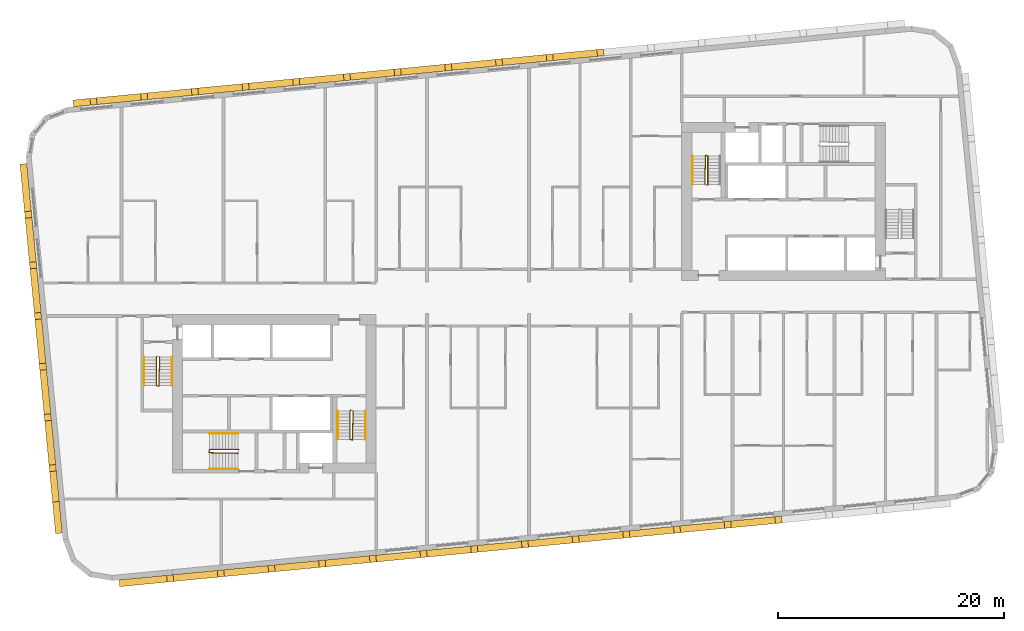
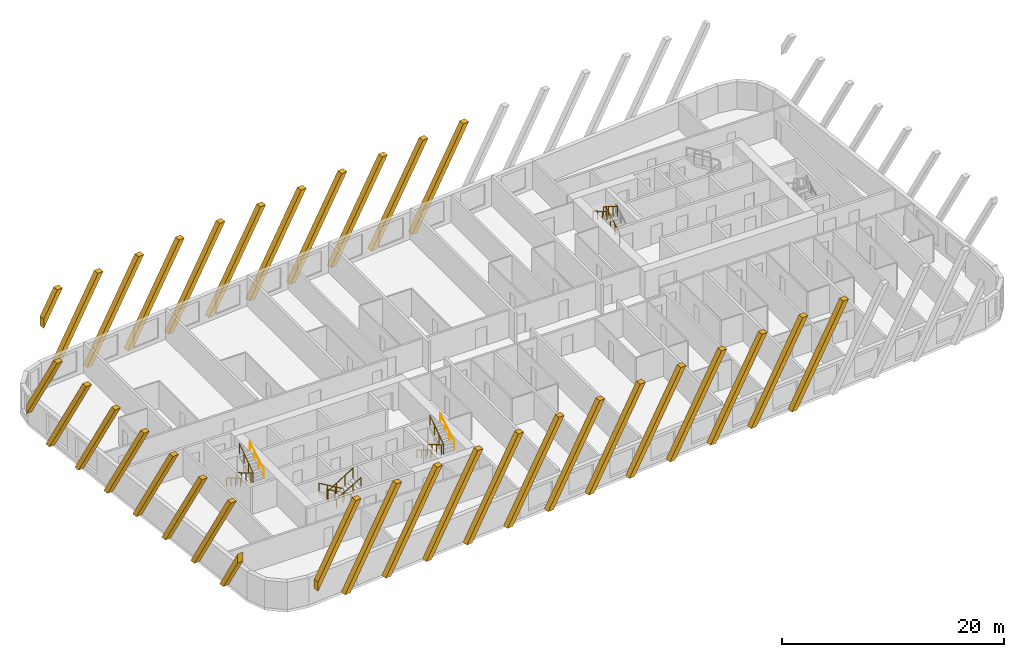
# One storey, part 12 of 13: 32 coverings, 11 railings.
"""IFC4 building model written with IfcOpenShell, lengths in metres."""

from ifc_helpers import new_model, si_unit, direction, frame, origin, origin_2d, place, context, subcontext, project, spatial, polyline, rectangle, circle, outline, extrude, material, material_profile, profile_set, type_object, element, save


model = new_model("IFC4")

# Units and contexts
model_context = context("Model", 3, precision=1e-05, world=origin(), true_north=direction((0.0, 1.0)))
body_context = subcontext(model_context, "Body", "Model", "MODEL_VIEW")
ifc_project = project(units=[si_unit("LENGTHUNIT", "METRE"), si_unit("AREAUNIT", "SQUARE_METRE"), si_unit("VOLUMEUNIT", "CUBIC_METRE"), si_unit("PLANEANGLEUNIT", "RADIAN"), si_unit("MASSUNIT", "GRAM", prefix="KILO")], contexts=[model_context])

# Site, building, storey
site_placement = place(None, origin())
site = spatial("IfcSite", under=ifc_project, at=site_placement, CompositionType="ELEMENT")
building_placement = place(site_placement, origin())
building = spatial("IfcBuilding", under=site, at=building_placement, Name="Kajstack Hotel Tower", CompositionType="ELEMENT")
storey_placement = place(building_placement, frame((0.0, 0.0, 196.60009765625)))
storey = spatial("IfcBuildingStorey", under=building, at=storey_placement, Name="L47", CompositionType="ELEMENT", Elevation=196.60009765625)

# Coverings
ifc_material_1 = material(Name="Terracotta", Category="masonry")
ifc_material_profile = material_profile(ifc_material_1, rectangle(XDim=0.60009765625, YDim=0.5, at=origin_2d()), Name="Terracotta-clad concrete baguette 500 x 600")
ifc_profile_set = profile_set([ifc_material_profile], Name="Terracotta")
covering_type = type_object("IfcCoveringType", Name="BAGUETTE 500x600", PredefinedType="CLADDING", material=ifc_profile_set)
covering_1_placement = place(storey_placement, frame((-44.380859375, 11.846923828125, 0.0), z_axis=(-0.995377661201, -0.096038073607, 0.0), x_axis=(0.096038073607, -0.995377661201, 0.0)))
element("IfcCovering", 1, at=covering_1_placement, inside=storey, type_object=covering_type, Name="Baguette L47-00-003", PredefinedType="CLADDING", context=body_context, shape_type="SweptSolid", body=[
    extrude(outline(polyline([(4.21142578125, 9.89990234375), (0.0, 2.605712890625), (0.0, 1.605712890625), (4.78857421875, 9.89990234375), (4.21142578125, 9.89990234375)])), origin(), (0.0, 0.0, 1.0), 0.599853515625),
])
for number, where, z_axis, x_axis, name in (
    (2, (-44.09375, 8.864990234375, 0.0), (-0.995416482233, -0.095634862357, 0.0), (0.095634862357, -0.995416482233, 0.0), "Baguette L47-00-007"),
    (3, (-43.662353515625, 4.3857421875, 0.0), (-0.995416482233, -0.095634862357, 0.0), (0.095634862357, -0.995416482233, 0.0), "Baguette L47-00-011"),
    (4, (-43.231201171875, -0.093505859375, 0.0), (-0.995416482233, -0.095634862357, 0.0), (0.095634862357, -0.995416482233, 0.0), "Baguette L47-00-015"),
    (5, (-42.7998046875, -4.57275390625, 0.0), (-0.995377661201, -0.096038073607, 0.0), (0.096038073607, -0.995377661201, 0.0), "Baguette L47-00-019"),
):
    element("IfcCovering", number, at=place(storey_placement, frame(where, z_axis=z_axis, x_axis=x_axis)), inside=storey, type_object=covering_type, Name=name, PredefinedType="CLADDING", context=body_context, shape_type="SweptSolid", body=[
        extrude(outline(polyline([(5.7158203125, 9.89990234375), (0.0, 0.0), (0.577392578125, 0.0), (6.293212890625, 9.89990234375), (5.7158203125, 9.89990234375)])), origin(), (0.0, 0.0, 1.0), 0.599853515625),
    ])
covering_2_placement = place(storey_placement, frame((-42.368408203125, -9.052001953125, 0.0), z_axis=(-0.995381412265, -0.095999188106, 0.0), x_axis=(0.095999188106, -0.995381412265, 0.0)))
element("IfcCovering", 6, at=covering_2_placement, inside=storey, type_object=covering_type, Name="Baguette L47-00-023", PredefinedType="CLADDING", context=body_context, shape_type="SweptSolid", body=[
    extrude(outline(polyline([(5.7158203125, 9.89990234375), (0.0, 0.0), (0.577392578125, 0.0), (6.293212890625, 9.89990234375), (5.7158203125, 9.89990234375)])), origin(), (0.0, 0.0, 1.0), 0.60009765625),
])
covering_3_placement = place(storey_placement, frame((-41.937255859375, -13.53125, 0.0), z_axis=(-0.995377661201, -0.096038073607, 0.0), x_axis=(0.096038073607, -0.995377661201, 0.0)))
element("IfcCovering", 7, at=covering_3_placement, inside=storey, type_object=covering_type, Name="Baguette L47-00-027", PredefinedType="CLADDING", context=body_context, shape_type="SweptSolid", body=[
    extrude(outline(polyline([(5.7158203125, 9.89990234375), (0.0, 0.0), (0.577392578125, 0.0), (6.293212890625, 9.89990234375), (5.7158203125, 9.89990234375)])), origin(), (0.0, 0.0, 1.0), 0.599853515625),
])
covering_4_placement = place(storey_placement, frame((-41.505859375, -18.0107421875, 0.0), z_axis=(-0.995416482233, -0.095634862357, 0.0), x_axis=(0.095634862357, -0.995416482233, 0.0)))
element("IfcCovering", 8, at=covering_4_placement, inside=storey, type_object=covering_type, Name="Baguette L47-00-031", PredefinedType="CLADDING", context=body_context, shape_type="SweptSolid", body=[
    extrude(outline(polyline([(0.577392578125, 0.0), (2.804443359375, 3.857177734375), (2.804443359375, 4.857177734375), (0.0, 0.0), (0.577392578125, 0.0)])), origin(), (0.0, 0.0, 1.0), 0.599853515625),
])
covering_5_placement = place(storey_placement, frame((-36.21728515625, -24.93994140625, 0.0), z_axis=(0.095634862357, -0.995416482233, 0.0), x_axis=(0.995416482233, 0.095634862357, 0.0)))
element("IfcCovering", 9, at=covering_5_placement, inside=storey, type_object=covering_type, Name="Baguette L47-04-003", PredefinedType="CLADDING", context=body_context, shape_type="SweptSolid", body=[
    extrude(outline(polyline([(4.21142578125, 9.89990234375), (0.0, 2.605712890625), (0.0, 1.605712890625), (4.78857421875, 9.89990234375), (4.21142578125, 9.89990234375)])), origin(), (0.0, 0.0, 1.0), 0.599853515625),
])
for number, where, z_axis, x_axis, name in (
    (10, (-33.235595703125, -24.65283203125, 0.0), (0.096038073607, -0.995377661201, 0.0), (0.995377661201, 0.096038073607, 0.0), "Baguette L47-04-007"),
    (11, (-28.75634765625, -24.2216796875, 0.0), (0.096038073607, -0.995377661201, 0.0), (0.995377661201, 0.096038073607, 0.0), "Baguette L47-04-011"),
    (12, (-24.277099609375, -23.790283203125, 0.0), (0.096038073607, -0.995377661201, 0.0), (0.995377661201, 0.096038073607, 0.0), "Baguette L47-04-015"),
):
    element("IfcCovering", number, at=place(storey_placement, frame(where, z_axis=z_axis, x_axis=x_axis)), inside=storey, type_object=covering_type, Name=name, PredefinedType="CLADDING", context=body_context, shape_type="SweptSolid", body=[
        extrude(outline(polyline([(5.7158203125, 9.89990234375), (0.0, 0.0), (0.577392578125, 0.0), (6.293212890625, 9.89990234375), (5.7158203125, 9.89990234375)])), origin(), (0.0, 0.0, 1.0), 0.599853515625),
    ])
covering_6_placement = place(storey_placement, frame((-19.7978515625, -23.35888671875, 0.0), z_axis=(0.095999188106, -0.995381412265, 0.0), x_axis=(0.995381412265, 0.095999188106, 0.0)))
element("IfcCovering", 13, at=covering_6_placement, inside=storey, type_object=covering_type, Name="Baguette L47-04-019", PredefinedType="CLADDING", context=body_context, shape_type="SweptSolid", body=[
    extrude(outline(polyline([(5.7158203125, 9.89990234375), (0.0, 0.0), (0.577392578125, 0.0), (6.293212890625, 9.89990234375), (5.7158203125, 9.89990234375)])), origin(), (0.0, 0.0, 1.0), 0.60009765625),
])
for number, where, z_axis, x_axis, name in (
    (14, (-15.318359375, -22.927734375, 0.0), (0.095634862357, -0.995416482233, 0.0), (0.995416482233, 0.095634862357, 0.0), "Baguette L47-04-023"),
    (15, (-10.839111328125, -22.496337890625, 0.0), (0.095634862357, -0.995416482233, 0.0), (0.995416482233, 0.095634862357, 0.0), "Baguette L47-04-027"),
):
    element("IfcCovering", number, at=place(storey_placement, frame(where, z_axis=z_axis, x_axis=x_axis)), inside=storey, type_object=covering_type, Name=name, PredefinedType="CLADDING", context=body_context, shape_type="SweptSolid", body=[
        extrude(outline(polyline([(5.7158203125, 9.89990234375), (0.0, 0.0), (0.577392578125, 0.0), (6.293212890625, 9.89990234375), (5.7158203125, 9.89990234375)])), origin(), (0.0, 0.0, 1.0), 0.599853515625),
    ])
covering_7_placement = place(storey_placement, frame((-6.35986328125, -22.06494140625, 0.0), z_axis=(0.095596137095, -0.995420202011, 0.0), x_axis=(0.995420202011, 0.095596137095, 0.0)))
element("IfcCovering", 16, at=covering_7_placement, inside=storey, type_object=covering_type, Name="Baguette L47-04-031", PredefinedType="CLADDING", context=body_context, shape_type="SweptSolid", body=[
    extrude(outline(polyline([(5.7158203125, 9.89990234375), (0.0, 0.0), (0.577392578125, 0.0), (6.293212890625, 9.89990234375), (5.7158203125, 9.89990234375)])), origin(), (0.0, 0.0, 1.0), 0.60009765625),
])
covering_8_placement = place(storey_placement, frame((-1.880615234375, -21.6337890625, 0.0), z_axis=(0.096038073607, -0.995377661201, 0.0), x_axis=(0.995377661201, 0.096038073607, 0.0)))
element("IfcCovering", 17, at=covering_8_placement, inside=storey, type_object=covering_type, Name="Baguette L47-04-035", PredefinedType="CLADDING", context=body_context, shape_type="SweptSolid", body=[
    extrude(outline(polyline([(5.7158203125, 9.89990234375), (0.0, 0.0), (0.577392578125, 0.0), (6.293212890625, 9.89990234375), (5.7158203125, 9.89990234375)])), origin(), (0.0, 0.0, 1.0), 0.599853515625),
])
covering_9_placement = place(storey_placement, frame((2.5986328125, -21.202392578125, 0.0), z_axis=(0.095999188106, -0.995381412265, 0.0), x_axis=(0.995381412265, 0.095999188106, 0.0)))
element("IfcCovering", 18, at=covering_9_placement, inside=storey, type_object=covering_type, Name="Baguette L47-04-039", PredefinedType="CLADDING", context=body_context, shape_type="SweptSolid", body=[
    extrude(outline(polyline([(5.7158203125, 9.89990234375), (0.0, 0.0), (0.577392578125, 0.0), (6.293212890625, 9.89990234375), (5.7158203125, 9.89990234375)])), origin(), (0.0, 0.0, 1.0), 0.60009765625),
])
for number, where, z_axis, x_axis, name in (
    (19, (7.077880859375, -20.771240234375, 0.0), (0.096038073607, -0.995377661201, 0.0), (0.995377661201, 0.096038073607, 0.0), "Baguette L47-04-043"),
    (20, (11.55712890625, -20.33984375, 0.0), (0.096038073607, -0.995377661201, 0.0), (0.995377661201, 0.096038073607, 0.0), "Baguette L47-04-047"),
):
    element("IfcCovering", number, at=place(storey_placement, frame(where, z_axis=z_axis, x_axis=x_axis)), inside=storey, type_object=covering_type, Name=name, PredefinedType="CLADDING", context=body_context, shape_type="SweptSolid", body=[
        extrude(outline(polyline([(5.7158203125, 9.89990234375), (0.0, 0.0), (0.577392578125, 0.0), (6.293212890625, 9.89990234375), (5.7158203125, 9.89990234375)])), origin(), (0.0, 0.0, 1.0), 0.599853515625),
    ])
covering_10_placement = place(storey_placement, frame((16.03662109375, -19.908447265625, 0.0), z_axis=(0.095596137095, -0.995420202011, 0.0), x_axis=(0.995420202011, 0.095596137095, 0.0)))
element("IfcCovering", 21, at=covering_10_placement, inside=storey, type_object=covering_type, Name="Baguette L47-04-051", PredefinedType="CLADDING", context=body_context, shape_type="SweptSolid", body=[
    extrude(outline(polyline([(5.7158203125, 9.89990234375), (0.0, 0.0), (0.577392578125, 0.0), (6.293212890625, 9.89990234375), (5.7158203125, 9.89990234375)])), origin(), (0.0, 0.0, 1.0), 0.60009765625),
])
for number, where, z_axis, x_axis, name in (
    (22, (6.62890625, 21.3798828125, 0.0), (-0.095634862357, 0.995416482233, 0.0), (-0.995416482233, -0.095634862357, 0.0), "Baguette L47-12-031"),
    (23, (2.149658203125, 20.948486328125, 0.0), (-0.095634862357, 0.995416482233, 0.0), (-0.995416482233, -0.095634862357, 0.0), "Baguette L47-12-035"),
    (24, (-2.32958984375, 20.517333984375, 0.0), (-0.095634862357, 0.995416482233, 0.0), (-0.995416482233, -0.095634862357, 0.0), "Baguette L47-12-039"),
    (25, (-6.808837890625, 20.0859375, 0.0), (-0.096038073607, 0.995377661201, 0.0), (-0.995377661201, -0.096038073607, 0.0), "Baguette L47-12-043"),
):
    element("IfcCovering", number, at=place(storey_placement, frame(where, z_axis=z_axis, x_axis=x_axis)), inside=storey, type_object=covering_type, Name=name, PredefinedType="CLADDING", context=body_context, shape_type="SweptSolid", body=[
        extrude(outline(polyline([(0.0, 9.89990234375), (5.7158203125, 0.0), (6.293212890625, 0.0), (0.577392578125, 9.89990234375), (0.0, 9.89990234375)])), origin(), (0.0, 0.0, 1.0), 0.599853515625),
    ])
covering_11_placement = place(storey_placement, frame((-11.2880859375, 19.654541015625, 0.0), z_axis=(-0.095999188106, 0.995381412265, 0.0), x_axis=(-0.995381412265, -0.095999188106, 0.0)))
element("IfcCovering", 26, at=covering_11_placement, inside=storey, type_object=covering_type, Name="Baguette L47-12-047", PredefinedType="CLADDING", context=body_context, shape_type="SweptSolid", body=[
    extrude(outline(polyline([(0.0, 9.89990234375), (5.7158203125, 0.0), (6.293212890625, 0.0), (0.577392578125, 9.89990234375), (0.0, 9.89990234375)])), origin(), (0.0, 0.0, 1.0), 0.60009765625),
])
for number, where, z_axis, x_axis, name in (
    (27, (-15.767333984375, 19.223388671875, 0.0), (-0.096038073607, 0.995377661201, 0.0), (-0.995377661201, -0.096038073607, 0.0), "Baguette L47-12-051"),
    (28, (-20.24658203125, 18.7919921875, 0.0), (-0.096038073607, 0.995377661201, 0.0), (-0.995377661201, -0.096038073607, 0.0), "Baguette L47-12-055"),
):
    element("IfcCovering", number, at=place(storey_placement, frame(where, z_axis=z_axis, x_axis=x_axis)), inside=storey, type_object=covering_type, Name=name, PredefinedType="CLADDING", context=body_context, shape_type="SweptSolid", body=[
        extrude(outline(polyline([(0.0, 9.89990234375), (5.7158203125, 0.0), (6.293212890625, 0.0), (0.577392578125, 9.89990234375), (0.0, 9.89990234375)])), origin(), (0.0, 0.0, 1.0), 0.599853515625),
    ])
covering_12_placement = place(storey_placement, frame((-24.72607421875, 18.360595703125, 0.0), z_axis=(-0.095596137095, 0.995420202011, 0.0), x_axis=(-0.995420202011, -0.095596137095, 0.0)))
element("IfcCovering", 29, at=covering_12_placement, inside=storey, type_object=covering_type, Name="Baguette L47-12-059", PredefinedType="CLADDING", context=body_context, shape_type="SweptSolid", body=[
    extrude(outline(polyline([(0.0, 9.89990234375), (5.7158203125, 0.0), (6.293212890625, 0.0), (0.577392578125, 9.89990234375), (0.0, 9.89990234375)])), origin(), (0.0, 0.0, 1.0), 0.60009765625),
])
covering_13_placement = place(storey_placement, frame((-29.205322265625, 17.929443359375, 0.0), z_axis=(-0.095634862357, 0.995416482233, 0.0), x_axis=(-0.995416482233, -0.095634862357, 0.0)))
element("IfcCovering", 30, at=covering_13_placement, inside=storey, type_object=covering_type, Name="Baguette L47-12-063", PredefinedType="CLADDING", context=body_context, shape_type="SweptSolid", body=[
    extrude(outline(polyline([(0.0, 9.89990234375), (5.7158203125, 0.0), (6.293212890625, 0.0), (0.577392578125, 9.89990234375), (0.0, 9.89990234375)])), origin(), (0.0, 0.0, 1.0), 0.599853515625),
])
covering_14_placement = place(storey_placement, frame((-33.6845703125, 17.498046875, 0.0), z_axis=(-0.095596137095, 0.995420202011, 0.0), x_axis=(-0.995420202011, -0.095596137095, 0.0)))
element("IfcCovering", 31, at=covering_14_placement, inside=storey, type_object=covering_type, Name="Baguette L47-12-067", PredefinedType="CLADDING", context=body_context, shape_type="SweptSolid", body=[
    extrude(outline(polyline([(0.0, 9.89990234375), (5.7158203125, 0.0), (6.293212890625, 0.0), (0.577392578125, 9.89990234375), (0.0, 9.89990234375)])), origin(), (0.0, 0.0, 1.0), 0.60009765625),
])
covering_15_placement = place(storey_placement, frame((-38.163818359375, 17.06689453125, 0.0), z_axis=(-0.095634862357, 0.995416482233, 0.0), x_axis=(-0.995416482233, -0.095634862357, 0.0)))
element("IfcCovering", 32, at=covering_15_placement, inside=storey, type_object=covering_type, Name="Baguette L47-12-071", PredefinedType="CLADDING", context=body_context, shape_type="SweptSolid", body=[
    extrude(outline(polyline([(0.0, 9.89990234375), (2.088623046875, 6.2822265625), (2.088623046875, 7.2822265625), (0.577392578125, 9.89990234375), (0.0, 9.89990234375)])), origin(), (0.0, 0.0, 1.0), 0.599853515625),
])

# Railings
ifc_material_2 = material(Name="Steel S355J2", Category="steel")
railing_type_1 = type_object("IfcRailingType", Name="Stair guard 1100", PredefinedType="GUARDRAIL", material=ifc_material_2)
railing_1_placement = place(storey_placement, frame((-32.85009765625, -5.199951171875, 0.0)))
element("IfcRailing", 33, at=railing_1_placement, inside=storey, type_object=railing_type_1, Name="L47 W1 stair guard 1", PredefinedType="GUARDRAIL", context=body_context, shape_type="SweptSolid", body=[
    extrude(circle(Radius=0.02392578125, at=origin_2d()), frame((0.0, 0.0, 1.076171875), z_axis=(-0.277797701265, -0.279159454702, 0.919183570361), x_axis=(0.708833529934, -0.705375805398, 0.0)), (0.0, 0.0, 1.0), 0.17919921875),
    extrude(circle(Radius=0.02392578125, at=origin_2d()), frame((-0.0498046875, -0.050048828125, 1.24072265625), z_axis=(0.0, -0.86152411907, 0.507716645641), x_axis=(1.0, 0.0, 0.0)), (0.0, 0.0, 1.0), 2.925048828125),
    extrude(circle(Radius=0.02392578125, at=origin_2d()), frame((-0.0498046875, -2.570068359375, 2.72607421875), z_axis=(0.970072785993, -0.242814311512, 0.0), x_axis=(0.242814311512, 0.970072785993, 0.0)), (0.0, 0.0, 1.0), 0.2060546875),
    extrude(circle(Radius=0.02392578125, at=origin_2d()), frame((0.150146484375, -2.6201171875, 2.72607421875), z_axis=(0.016385308676, 0.841405582595, 0.540155687962), x_axis=(-0.999810440751, 0.019470042781, 0.0)), (0.0, 0.0, 1.0), 3.054443359375),
    extrude(circle(Radius=0.02099609375, at=origin_2d()), origin(), (0.0, 0.0, 1.0), 1.052001953125),
    extrude(circle(Radius=0.02099609375, at=origin_2d()), frame((-0.0498046875, -0.050048828125, 0.164794921875)), (0.0, 0.0, 1.0), 1.052001953125),
    extrude(circle(Radius=0.02099609375, at=origin_2d()), frame((-0.0498046875, -0.89013671875, 0.659912109375)), (0.0, 0.0, 1.0), 1.052001953125),
    extrude(circle(Radius=0.02099609375, at=origin_2d()), frame((-0.0498046875, -1.72998046875, 1.15478515625)), (0.0, 0.0, 1.0), 1.052001953125),
    extrude(circle(Radius=0.02099609375, at=origin_2d()), frame((-0.0498046875, -2.570068359375, 1.64990234375)), (0.0, 0.0, 1.0), 1.052001953125),
    extrude(circle(Radius=0.02099609375, at=origin_2d()), frame((0.150146484375, -2.6201171875, 1.64990234375)), (0.0, 0.0, 1.0), 1.052001953125),
    extrude(circle(Radius=0.02099609375, at=origin_2d()), frame((0.166748046875, -1.763427734375, 2.199951171875)), (0.0, 0.0, 1.0), 1.052001953125),
    extrude(circle(Radius=0.02099609375, at=origin_2d()), frame((0.18359375, -0.90673828125, 2.749755859375)), (0.0, 0.0, 1.0), 1.052001953125),
    extrude(circle(Radius=0.02099609375, at=origin_2d()), frame((0.2001953125, -0.050048828125, 3.2998046875)), (0.0, 0.0, 1.0), 1.052001953125),
])
railing_2_placement = place(storey_placement, frame((-15.75, -9.949951171875, 0.0)))
element("IfcRailing", 34, at=railing_2_placement, inside=storey, type_object=railing_type_1, Name="L47 W2 stair guard 1", PredefinedType="GUARDRAIL", context=body_context, shape_type="SweptSolid", body=[
    extrude(circle(Radius=0.02392578125, at=origin_2d()), frame((0.0, 0.0, 1.076171875), z_axis=(-0.279053652268, -0.279053652268, 0.918835196492), x_axis=(0.707106781187, -0.707106781187, 0.0)), (0.0, 0.0, 1.0), 0.179443359375),
    extrude(circle(Radius=0.02392578125, at=origin_2d()), frame((-0.050048828125, -0.050048828125, 1.24072265625), z_axis=(0.0, -0.86152411907, 0.507716645641), x_axis=(1.0, 0.0, 0.0)), (0.0, 0.0, 1.0), 2.925048828125),
    extrude(circle(Radius=0.02392578125, at=origin_2d()), frame((-0.050048828125, -2.570068359375, 2.72607421875), z_axis=(0.970072785993, -0.242814311512, 0.0), x_axis=(0.242814311512, 0.970072785993, 0.0)), (0.0, 0.0, 1.0), 0.2060546875),
    extrude(circle(Radius=0.02392578125, at=origin_2d()), frame((0.14990234375, -2.6201171875, 2.72607421875), z_axis=(0.016385308676, 0.841405582595, 0.540155687962), x_axis=(-0.999810440751, 0.019470042781, 0.0)), (0.0, 0.0, 1.0), 3.054443359375),
    extrude(circle(Radius=0.02099609375, at=origin_2d()), origin(), (0.0, 0.0, 1.0), 1.052001953125),
    extrude(circle(Radius=0.02099609375, at=origin_2d()), frame((-0.050048828125, -0.050048828125, 0.164794921875)), (0.0, 0.0, 1.0), 1.052001953125),
    extrude(circle(Radius=0.02099609375, at=origin_2d()), frame((-0.050048828125, -0.89013671875, 0.659912109375)), (0.0, 0.0, 1.0), 1.052001953125),
    extrude(circle(Radius=0.02099609375, at=origin_2d()), frame((-0.050048828125, -1.72998046875, 1.15478515625)), (0.0, 0.0, 1.0), 1.052001953125),
    extrude(circle(Radius=0.02099609375, at=origin_2d()), frame((-0.050048828125, -2.570068359375, 1.64990234375)), (0.0, 0.0, 1.0), 1.052001953125),
    extrude(circle(Radius=0.02099609375, at=origin_2d()), frame((0.14990234375, -2.6201171875, 1.64990234375)), (0.0, 0.0, 1.0), 1.052001953125),
    extrude(circle(Radius=0.02099609375, at=origin_2d()), frame((0.16650390625, -1.763427734375, 2.199951171875)), (0.0, 0.0, 1.0), 1.052001953125),
    extrude(circle(Radius=0.02099609375, at=origin_2d()), frame((0.183349609375, -0.90673828125, 2.749755859375)), (0.0, 0.0, 1.0), 1.052001953125),
    extrude(circle(Radius=0.02099609375, at=origin_2d()), frame((0.199951171875, -0.050048828125, 3.2998046875)), (0.0, 0.0, 1.0), 1.052001953125),
])
railing_3_placement = place(storey_placement, frame((-25.64990234375, -13.449951171875, 0.0)))
element("IfcRailing", 35, at=railing_3_placement, inside=storey, type_object=railing_type_1, Name="L47 W3 stair guard 1", PredefinedType="GUARDRAIL", context=body_context, shape_type="SweptSolid", body=[
    extrude(circle(Radius=0.02392578125, at=origin_2d()), frame((0.0, 0.0, 1.076171875), z_axis=(-0.279053652268, 0.279053652268, 0.918835196492), x_axis=(-0.707106781187, -0.707106781187, 0.0)), (0.0, 0.0, 1.0), 0.179443359375),
    extrude(circle(Radius=0.02392578125, at=origin_2d()), frame((-0.050048828125, 0.050048828125, 1.24072265625), z_axis=(-0.86152411907, 0.0, 0.507716645641), x_axis=(0.0, -1.0, 0.0)), (0.0, 0.0, 1.0), 2.925048828125),
    extrude(circle(Radius=0.02392578125, at=origin_2d()), frame((-2.570068359375, 0.050048828125, 2.72607421875), z_axis=(-0.164529134168, -0.986372223864, 0.0), x_axis=(0.986372223864, -0.164529134168, 0.0)), (0.0, 0.0, 1.0), 0.30419921875),
    extrude(circle(Radius=0.02392578125, at=origin_2d()), frame((-2.6201171875, -0.25, 2.72607421875), z_axis=(0.841405582595, -0.016385308676, 0.540155687962), x_axis=(0.019470042781, 0.999810440751, 0.0)), (0.0, 0.0, 1.0), 3.054443359375),
    extrude(circle(Radius=0.02099609375, at=origin_2d()), origin(), (0.0, 0.0, 1.0), 1.052001953125),
    extrude(circle(Radius=0.02099609375, at=origin_2d()), frame((-0.050048828125, 0.050048828125, 0.164794921875)), (0.0, 0.0, 1.0), 1.052001953125),
    extrude(circle(Radius=0.02099609375, at=origin_2d()), frame((-0.89013671875, 0.050048828125, 0.659912109375)), (0.0, 0.0, 1.0), 1.052001953125),
    extrude(circle(Radius=0.02099609375, at=origin_2d()), frame((-1.72998046875, 0.050048828125, 1.15478515625)), (0.0, 0.0, 1.0), 1.052001953125),
    extrude(circle(Radius=0.02099609375, at=origin_2d()), frame((-2.570068359375, 0.050048828125, 1.64990234375)), (0.0, 0.0, 1.0), 1.052001953125),
    extrude(circle(Radius=0.02099609375, at=origin_2d()), frame((-2.6201171875, -0.25, 1.64990234375)), (0.0, 0.0, 1.0), 1.052001953125),
    extrude(circle(Radius=0.02099609375, at=origin_2d()), frame((-1.763427734375, -0.2666015625, 2.199951171875)), (0.0, 0.0, 1.0), 1.052001953125),
    extrude(circle(Radius=0.02099609375, at=origin_2d()), frame((-0.90673828125, -0.283447265625, 2.749755859375)), (0.0, 0.0, 1.0), 1.052001953125),
    extrude(circle(Radius=0.02099609375, at=origin_2d()), frame((-0.050048828125, -0.300048828125, 3.2998046875)), (0.0, 0.0, 1.0), 1.052001953125),
])
railing_4_placement = place(storey_placement, frame((15.75, 9.949951171875, 0.0)))
element("IfcRailing", 36, at=railing_4_placement, inside=storey, type_object=railing_type_1, Name="L47 E2 stair guard 1", PredefinedType="GUARDRAIL", context=body_context, shape_type="SweptSolid", body=[
    extrude(circle(Radius=0.02392578125, at=origin_2d()), frame((0.0, 0.0, 1.076171875), z_axis=(0.279053652268, 0.279053652268, 0.918835196492), x_axis=(-0.707106781187, 0.707106781187, 0.0)), (0.0, 0.0, 1.0), 0.179443359375),
    extrude(circle(Radius=0.02392578125, at=origin_2d()), frame((0.050048828125, 0.050048828125, 1.24072265625), z_axis=(0.0, 0.86152411907, 0.507716645641), x_axis=(-1.0, 0.0, 0.0)), (0.0, 0.0, 1.0), 2.925048828125),
    extrude(circle(Radius=0.02392578125, at=origin_2d()), frame((0.050048828125, 2.570068359375, 2.72607421875), z_axis=(-0.970072785993, 0.242814311512, 0.0), x_axis=(-0.242814311512, -0.970072785993, 0.0)), (0.0, 0.0, 1.0), 0.2060546875),
    extrude(circle(Radius=0.02392578125, at=origin_2d()), frame((-0.14990234375, 2.6201171875, 2.72607421875), z_axis=(-0.016385308676, -0.841405582595, 0.540155687962), x_axis=(0.999810440751, -0.019470042781, 0.0)), (0.0, 0.0, 1.0), 3.054443359375),
    extrude(circle(Radius=0.02099609375, at=origin_2d()), origin(), (0.0, 0.0, 1.0), 1.052001953125),
    extrude(circle(Radius=0.02099609375, at=origin_2d()), frame((0.050048828125, 0.050048828125, 0.164794921875)), (0.0, 0.0, 1.0), 1.052001953125),
    extrude(circle(Radius=0.02099609375, at=origin_2d()), frame((0.050048828125, 0.89013671875, 0.659912109375)), (0.0, 0.0, 1.0), 1.052001953125),
    extrude(circle(Radius=0.02099609375, at=origin_2d()), frame((0.050048828125, 1.72998046875, 1.15478515625)), (0.0, 0.0, 1.0), 1.052001953125),
    extrude(circle(Radius=0.02099609375, at=origin_2d()), frame((0.050048828125, 2.570068359375, 1.64990234375)), (0.0, 0.0, 1.0), 1.052001953125),
    extrude(circle(Radius=0.02099609375, at=origin_2d()), frame((-0.14990234375, 2.6201171875, 1.64990234375)), (0.0, 0.0, 1.0), 1.052001953125),
    extrude(circle(Radius=0.02099609375, at=origin_2d()), frame((-0.16650390625, 1.763427734375, 2.199951171875)), (0.0, 0.0, 1.0), 1.052001953125),
    extrude(circle(Radius=0.02099609375, at=origin_2d()), frame((-0.183349609375, 0.90673828125, 2.749755859375)), (0.0, 0.0, 1.0), 1.052001953125),
    extrude(circle(Radius=0.02099609375, at=origin_2d()), frame((-0.199951171875, 0.050048828125, 3.2998046875)), (0.0, 0.0, 1.0), 1.052001953125),
])
railing_type_2 = type_object("IfcRailingType", Name="Stair handrail 900", PredefinedType="HANDRAIL", material=ifc_material_2)
railing_5_placement = place(storey_placement, frame((-34.0, -5.25, 0.164794921875)))
element("IfcRailing", 37, at=railing_5_placement, inside=storey, type_object=railing_type_2, Name="L47 W1 stair handrail 1", PredefinedType="HANDRAIL", context=body_context, shape_type="SweptSolid", body=[
    extrude(circle(Radius=0.02392578125, at=origin_2d()), frame((0.0, 0.0, 0.8759765625), z_axis=(0.0, -0.86152411907, 0.507716645641), x_axis=(1.0, 0.0, 0.0)), (0.0, 0.0, 1.0), 2.925048828125),
    extrude(circle(Radius=0.02099609375, at=origin_2d()), origin(), (0.0, 0.0, 1.0), 0.851806640625),
    extrude(circle(Radius=0.02099609375, at=origin_2d()), frame((0.0, -0.840087890625, 0.4951171875)), (0.0, 0.0, 1.0), 0.851806640625),
    extrude(circle(Radius=0.02099609375, at=origin_2d()), frame((0.0, -1.679931640625, 0.989990234375)), (0.0, 0.0, 1.0), 0.851806640625),
    extrude(circle(Radius=0.02099609375, at=origin_2d()), frame((0.0, -2.52001953125, 1.485107421875)), (0.0, 0.0, 1.0), 0.851806640625),
])
railing_6_placement = place(storey_placement, frame((-31.550048828125, -7.77001953125, 1.81494140625)))
element("IfcRailing", 38, at=railing_6_placement, inside=storey, type_object=railing_type_2, Name="L47 W1 stair handrail 2", PredefinedType="HANDRAIL", context=body_context, shape_type="SweptSolid", body=[
    extrude(circle(Radius=0.02392578125, at=origin_2d()), frame((0.0, 0.0, 0.8759765625), z_axis=(0.0, 0.861560626758, 0.507654692109), x_axis=(-1.0, 0.0, 0.0)), (0.0, 0.0, 1.0), 2.925048828125),
    extrude(circle(Radius=0.02099609375, at=origin_2d()), origin(), (0.0, 0.0, 1.0), 0.851806640625),
    extrude(circle(Radius=0.02099609375, at=origin_2d()), frame((0.0, 0.840087890625, 0.494873046875)), (0.0, 0.0, 1.0), 0.851806640625),
    extrude(circle(Radius=0.02099609375, at=origin_2d()), frame((0.0, 1.679931640625, 0.989990234375)), (0.0, 0.0, 1.0), 0.851806640625),
    extrude(circle(Radius=0.02099609375, at=origin_2d()), frame((0.0, 2.52001953125, 1.48486328125)), (0.0, 0.0, 1.0), 0.851806640625),
])
railing_7_placement = place(storey_placement, frame((-16.89990234375, -10.0, 0.164794921875)))
element("IfcRailing", 39, at=railing_7_placement, inside=storey, type_object=railing_type_2, Name="L47 W2 stair handrail 1", PredefinedType="HANDRAIL", context=body_context, shape_type="SweptSolid", body=[
    extrude(circle(Radius=0.02392578125, at=origin_2d()), frame((0.0, 0.0, 0.8759765625), z_axis=(0.0, -0.86152411907, 0.507716645641), x_axis=(1.0, 0.0, 0.0)), (0.0, 0.0, 1.0), 2.925048828125),
    extrude(circle(Radius=0.02099609375, at=origin_2d()), origin(), (0.0, 0.0, 1.0), 0.851806640625),
    extrude(circle(Radius=0.02099609375, at=origin_2d()), frame((0.0, -0.840087890625, 0.4951171875)), (0.0, 0.0, 1.0), 0.851806640625),
    extrude(circle(Radius=0.02099609375, at=origin_2d()), frame((0.0, -1.679931640625, 0.989990234375)), (0.0, 0.0, 1.0), 0.851806640625),
    extrude(circle(Radius=0.02099609375, at=origin_2d()), frame((0.0, -2.52001953125, 1.485107421875)), (0.0, 0.0, 1.0), 0.851806640625),
])
railing_8_placement = place(storey_placement, frame((-14.449951171875, -12.52001953125, 1.81494140625)))
element("IfcRailing", 40, at=railing_8_placement, inside=storey, type_object=railing_type_2, Name="L47 W2 stair handrail 2", PredefinedType="HANDRAIL", context=body_context, shape_type="SweptSolid", body=[
    extrude(circle(Radius=0.02392578125, at=origin_2d()), frame((0.0, 0.0, 0.8759765625), z_axis=(0.0, 0.861560626758, 0.507654692109), x_axis=(-1.0, 0.0, 0.0)), (0.0, 0.0, 1.0), 2.925048828125),
    extrude(circle(Radius=0.02099609375, at=origin_2d()), origin(), (0.0, 0.0, 1.0), 0.851806640625),
    extrude(circle(Radius=0.02099609375, at=origin_2d()), frame((0.0, 0.840087890625, 0.494873046875)), (0.0, 0.0, 1.0), 0.851806640625),
    extrude(circle(Radius=0.02099609375, at=origin_2d()), frame((0.0, 1.679931640625, 0.989990234375)), (0.0, 0.0, 1.0), 0.851806640625),
    extrude(circle(Radius=0.02099609375, at=origin_2d()), frame((0.0, 2.52001953125, 1.48486328125)), (0.0, 0.0, 1.0), 0.851806640625),
])
railing_9_placement = place(storey_placement, frame((-25.699951171875, -12.0, 0.164794921875)))
element("IfcRailing", 41, at=railing_9_placement, inside=storey, type_object=railing_type_2, Name="L47 W3 stair handrail 1", PredefinedType="HANDRAIL", context=body_context, shape_type="SweptSolid", body=[
    extrude(circle(Radius=0.02392578125, at=origin_2d()), frame((0.0, 0.0, 0.8759765625), z_axis=(-0.86152411907, 0.0, 0.507716645641), x_axis=(0.0, -1.0, 0.0)), (0.0, 0.0, 1.0), 2.925048828125),
    extrude(circle(Radius=0.02099609375, at=origin_2d()), origin(), (0.0, 0.0, 1.0), 0.851806640625),
    extrude(circle(Radius=0.02099609375, at=origin_2d()), frame((-0.840087890625, 0.0, 0.4951171875)), (0.0, 0.0, 1.0), 0.851806640625),
    extrude(circle(Radius=0.02099609375, at=origin_2d()), frame((-1.679931640625, 0.0, 0.989990234375)), (0.0, 0.0, 1.0), 0.851806640625),
    extrude(circle(Radius=0.02099609375, at=origin_2d()), frame((-2.52001953125, 0.0, 1.485107421875)), (0.0, 0.0, 1.0), 0.851806640625),
])
railing_10_placement = place(storey_placement, frame((-28.219970703125, -15.14990234375, 1.81494140625)))
element("IfcRailing", 42, at=railing_10_placement, inside=storey, type_object=railing_type_2, Name="L47 W3 stair handrail 2", PredefinedType="HANDRAIL", context=body_context, shape_type="SweptSolid", body=[
    extrude(circle(Radius=0.02392578125, at=origin_2d()), frame((0.0, 0.0, 0.8759765625), z_axis=(0.861560626758, 0.0, 0.507654692109), x_axis=(0.0, 1.0, 0.0)), (0.0, 0.0, 1.0), 2.925048828125),
    extrude(circle(Radius=0.02099609375, at=origin_2d()), origin(), (0.0, 0.0, 1.0), 0.851806640625),
    extrude(circle(Radius=0.02099609375, at=origin_2d()), frame((0.840087890625, 0.0, 0.494873046875)), (0.0, 0.0, 1.0), 0.851806640625),
    extrude(circle(Radius=0.02099609375, at=origin_2d()), frame((1.679931640625, 0.0, 0.989990234375)), (0.0, 0.0, 1.0), 0.851806640625),
    extrude(circle(Radius=0.02099609375, at=origin_2d()), frame((2.52001953125, 0.0, 1.48486328125)), (0.0, 0.0, 1.0), 0.851806640625),
])
railing_11_placement = place(storey_placement, frame((14.449951171875, 12.52001953125, 1.81494140625)))
element("IfcRailing", 43, at=railing_11_placement, inside=storey, type_object=railing_type_2, Name="L47 E2 stair handrail 2", PredefinedType="HANDRAIL", context=body_context, shape_type="SweptSolid", body=[
    extrude(circle(Radius=0.02392578125, at=origin_2d()), frame((0.0, 0.0, 0.8759765625), z_axis=(0.0, -0.861560626758, 0.507654692109), x_axis=(1.0, 0.0, 0.0)), (0.0, 0.0, 1.0), 2.925048828125),
    extrude(circle(Radius=0.02099609375, at=origin_2d()), origin(), (0.0, 0.0, 1.0), 0.851806640625),
    extrude(circle(Radius=0.02099609375, at=origin_2d()), frame((0.0, -0.840087890625, 0.494873046875)), (0.0, 0.0, 1.0), 0.851806640625),
    extrude(circle(Radius=0.02099609375, at=origin_2d()), frame((0.0, -1.679931640625, 0.989990234375)), (0.0, 0.0, 1.0), 0.851806640625),
    extrude(circle(Radius=0.02099609375, at=origin_2d()), frame((0.0, -2.52001953125, 1.48486328125)), (0.0, 0.0, 1.0), 0.851806640625),
])

save(model, "model.ifc")
